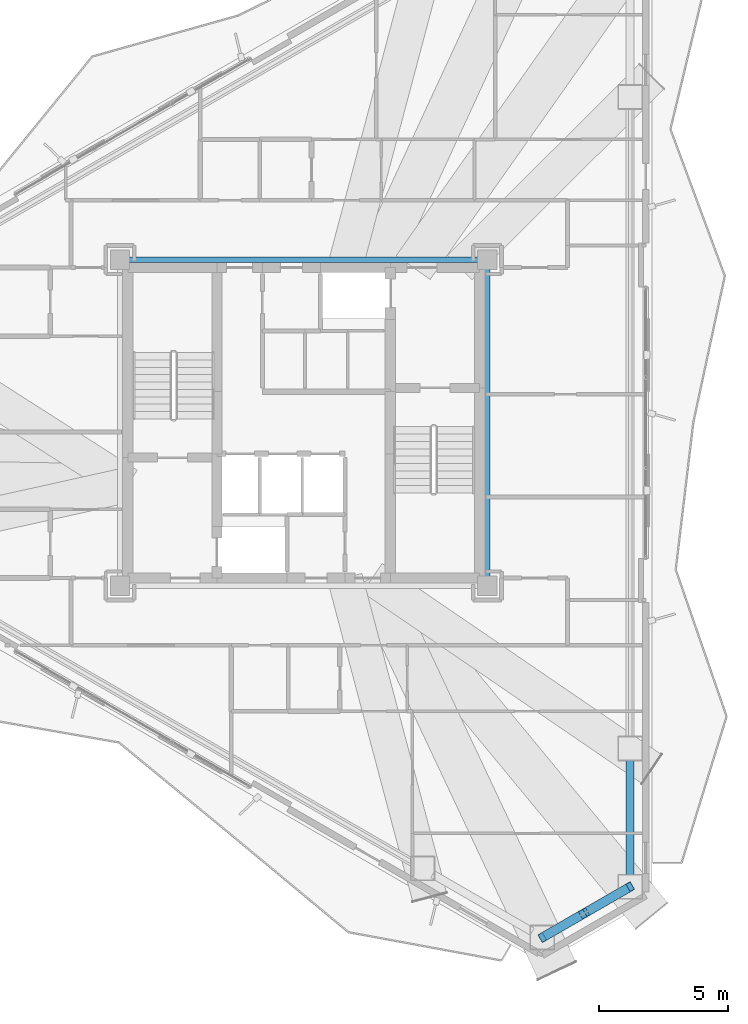
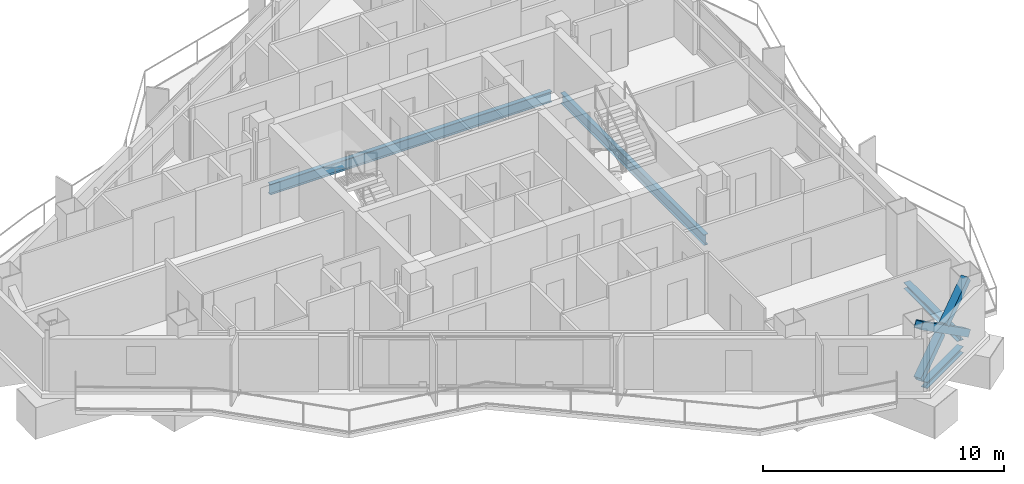
# One storey, part 7 of 21: 4 beams, 3 members.
"""IFC4 building model written with IfcOpenShell, lengths in metres."""

import ifcopenshell
import ifcopenshell.guid

model = None  # the IFC model being written
_history = None  # IfcOwnerHistory: only IFC2X3 demands one
_inside = {}  # id of a spatial element -> (the spatial element, [elements in it])
_under = {}  # id of a project, library or spatial element -> (it, [spatial elements below it])
_declared = {}  # id of a project -> (the project, [libraries it declares])
_typed = {}  # id of a type object -> (the type object, [elements of that type])
_made_of = {}  # id of a material, layer set ... -> (it, [elements and type objects made of it])


def new_model(schema):
    """Start an empty IFC model of exactly this schema.

    Asked for "IFC4X3", IfcOpenShell would pick the latest addendum, in which some entities
    have other attributes; the version numbers below select the first issue.
    IFC2X3 requires an IfcOwnerHistory on every rooted entity: one is made here for all.
    """
    global model, _history
    if schema == "IFC4X3":
        model = ifcopenshell.file(schema_version=(4, 3, 0, 0))
    else:
        model = ifcopenshell.file(schema=schema)
    _inside.clear()
    _under.clear()
    _declared.clear()
    _typed.clear()
    _made_of.clear()
    _history = None
    if model.schema == "IFC2X3":
        org = make("IfcOrganization", Name="unknown")
        user = make(
            "IfcPersonAndOrganization",
            ThePerson=make("IfcPerson", FamilyName="unknown"),
            TheOrganization=org,
        )
        app = make(
            "IfcApplication",
            ApplicationDeveloper=org,
            Version="unknown",
            ApplicationFullName="unknown",
            ApplicationIdentifier="unknown",
        )
        _history = make(
            "IfcOwnerHistory",
            OwningUser=user,
            OwningApplication=app,
            ChangeAction="ADDED",
            CreationDate=0,
        )
    return model


def make(cls, **values):
    """One entity of the class cls with the attributes given. An attribute that is None is left unset."""
    return model.create_entity(
        cls, **{name: value for name, value in values.items() if value is not None}
    )


def rooted(cls, **values):
    """An entity with a GlobalId (a new one), such as an element, a storey or a relation."""
    return make(cls, GlobalId=ifcopenshell.guid.new(), OwnerHistory=_history, **values)


def si_unit(unit_type, name, prefix=None):
    """IfcSIUnit, for example si_unit("LENGTHUNIT", "METRE", prefix="MILLI")."""
    return make("IfcSIUnit", UnitType=unit_type, Prefix=prefix, Name=name)


def assignment(units):
    """IfcUnitAssignment: the units of a project."""
    return None if units is None else make("IfcUnitAssignment", Units=units)


def point(xyz):
    """IfcCartesianPoint."""
    return None if xyz is None else make("IfcCartesianPoint", Coordinates=xyz)


def direction(xyz):
    """IfcDirection."""
    return None if xyz is None else make("IfcDirection", DirectionRatios=xyz)


def frame(location, z_axis=None, x_axis=None):
    """IfcAxis2Placement3D, a coordinate frame: its origin and axes. An axis left out is left unset."""
    return make(
        "IfcAxis2Placement3D",
        Location=point(location),
        Axis=direction(z_axis),
        RefDirection=direction(x_axis),
    )


def frame_2d(location, x_axis=None):
    """IfcAxis2Placement2D, a coordinate frame in the plane: its origin and x axis."""
    return make(
        "IfcAxis2Placement2D", Location=point(location), RefDirection=direction(x_axis)
    )


def origin():
    """The frame at (0, 0, 0) with its axes left unset."""
    return frame((0.0, 0.0, 0.0))


def origin_2d():
    """The frame at (0, 0) in the plane with its x axis left unset."""
    return frame_2d((0.0, 0.0))


def place(relative_to, where):
    """IfcLocalPlacement: puts the frame where relative to a parent placement (None: the world)."""
    return make(
        "IfcLocalPlacement", PlacementRelTo=relative_to, RelativePlacement=where
    )


def context(
    kind, dimensions, precision=None, world=None, true_north=None, identifier=None
):
    """IfcGeometricRepresentationContext, for example the 3D "Model" context."""
    return make(
        "IfcGeometricRepresentationContext",
        ContextIdentifier=identifier,
        ContextType=kind,
        CoordinateSpaceDimension=dimensions,
        Precision=precision,
        WorldCoordinateSystem=world,
        TrueNorth=true_north,
    )


def subcontext(parent, identifier, kind, view, scale=None):
    """IfcGeometricRepresentationSubContext, for example "Body" below "Model"."""
    return make(
        "IfcGeometricRepresentationSubContext",
        ContextIdentifier=identifier,
        ContextType=kind,
        ParentContext=parent,
        TargetScale=scale,
        TargetView=view,
    )


def project(units=None, contexts=None):
    """IfcProject with its units and contexts."""
    return rooted(
        "IfcProject",
        Name="project",
        RepresentationContexts=contexts,
        UnitsInContext=assignment(units),
    )


def spatial(cls, under=None, at=None, **own):
    """A site, building, storey or space (cls), placed at a placement, below another one or the project."""
    s = rooted(cls, ObjectPlacement=at, **own)
    if under is not None:
        _under.setdefault(under.id(), (under, []))[1].append(s)
    return s


def profile(cls, at=None, kind="AREA", **sizes):
    """A parametric profile (cls). Its sizes go by their IFC names, for example OverallWidth=200.0."""
    return make(cls, ProfileType=kind, Position=at, **sizes)


def hollow_rectangle(**sizes):
    """IfcRectangleHollowProfileDef."""
    return profile("IfcRectangleHollowProfileDef", **sizes)


def i_section(**sizes):
    """IfcIShapeProfileDef."""
    return profile("IfcIShapeProfileDef", **sizes)


def extrude(swept, where, along, depth):
    """IfcExtrudedAreaSolid: the profile swept, set in the frame where, extruded along a direction by depth."""
    return make(
        "IfcExtrudedAreaSolid",
        SweptArea=swept,
        Position=where,
        ExtrudedDirection=direction(along),
        Depth=depth,
    )


def shape(context_of_items, identifier, shape_type, items):
    """IfcShapeRepresentation: the items that make up one representation, for example the "Body"."""
    return make(
        "IfcShapeRepresentation",
        ContextOfItems=context_of_items,
        RepresentationIdentifier=identifier,
        RepresentationType=shape_type,
        Items=items,
    )


def material(Name=None, Category=None):
    """IfcMaterial."""
    return make("IfcMaterial", Name=Name, Category=Category)


def material_profile(
    of_material, cross_section, Name=None, Category=None, Priority=None
):
    """IfcMaterialProfile: a cross section and its material."""
    return make(
        "IfcMaterialProfile",
        Name=Name,
        Material=of_material,
        Profile=cross_section,
        Priority=Priority,
        Category=Category,
    )


def profile_set(profiles, Name=None, composite=None):
    """IfcMaterialProfileSet."""
    return make(
        "IfcMaterialProfileSet",
        Name=Name,
        MaterialProfiles=profiles,
        CompositeProfile=composite,
    )


def made_of(thing, what):
    """Note that an element or type object is made of a material, layer set ...; save() writes the relation."""
    if what is not None:
        _made_of.setdefault(what.id(), (what, []))[1].append(thing)
    return thing


def type_object(cls, material=None, **own):
    """A type object (cls), such as IfcWallType, which elements share."""
    return made_of(rooted(cls, **own), material)


def element(
    cls,
    number,
    at=None,
    inside=None,
    cuts=None,
    type_object=None,
    material=None,
    context=None,
    identifier="Body",
    shape_type=None,
    held_by="IfcProductDefinitionShape",
    body=None,
    shapes=None,
    **own,
):
    """One element of the class cls, such as IfcWall. Its Tag is "e" and its number.

    at: its placement. inside: the storey or other place that contains it. cuts: it is an
    opening in that element (IfcRelVoidsElement). A single representation is given by context,
    identifier, shape_type and body (its items); several are given by shapes. held_by: the class
    of the entity that holds the representations. save() writes the other relations.
    """
    e = rooted(cls, Tag="e%d" % number, ObjectPlacement=at, **own)
    if body is not None:
        shapes = [shape(context, identifier, shape_type, body)]
    if shapes is not None:
        e.Representation = make(held_by, Representations=shapes)
    if inside is not None:
        _inside.setdefault(inside.id(), (inside, []))[1].append(e)
    if cuts is not None:
        rooted(
            "IfcRelVoidsElement", RelatingBuildingElement=cuts, RelatedOpeningElement=e
        )
    if type_object is not None:
        _typed.setdefault(type_object.id(), (type_object, []))[1].append(e)
    return made_of(e, material)


def aggregate(whole, parts):
    """IfcRelAggregates: a whole, such as a stair, and the parts it consists of."""
    return rooted("IfcRelAggregates", RelatingObject=whole, RelatedObjects=parts)


def save(model, path):
    """Write the relations noted so far, then the file.

    IfcRelAggregates (storeys below a building ...), IfcRelContainedInSpatialStructure (elements
    in a storey), IfcRelDefinesByType, IfcRelAssociatesMaterial and IfcRelDeclares: one each for
    every whole, place, type object, material and project.
    """
    for whole, parts in _under.values():
        aggregate(whole, parts)
    for where, things in _inside.values():
        rooted(
            "IfcRelContainedInSpatialStructure",
            RelatedElements=things,
            RelatingStructure=where,
        )
    for kind, things in _typed.values():
        rooted("IfcRelDefinesByType", RelatedObjects=things, RelatingType=kind)
    for what, things in _made_of.values():
        rooted("IfcRelAssociatesMaterial", RelatedObjects=things, RelatingMaterial=what)
    for by, libraries in _declared.values():
        rooted("IfcRelDeclares", RelatingContext=by, RelatedDefinitions=libraries)
    model.write(path)


model = new_model("IFC4")

# Units and contexts
model_context = context("Model", 3, precision=1e-05, world=origin(), true_north=direction((0.0, 1.0)))
body_context = subcontext(model_context, "Body", "Model", "MODEL_VIEW")
ifc_project = project(units=[si_unit("LENGTHUNIT", "METRE"), si_unit("AREAUNIT", "SQUARE_METRE"), si_unit("VOLUMEUNIT", "CUBIC_METRE"), si_unit("PLANEANGLEUNIT", "RADIAN"), si_unit("MASSUNIT", "GRAM", prefix="KILO")], contexts=[model_context])

# Site, building, storey
site_placement = place(None, origin())
site = spatial("IfcSite", under=ifc_project, at=site_placement, CompositionType="ELEMENT")
building_placement = place(site_placement, origin())
building = spatial("IfcBuilding", under=site, at=building_placement, Name="Mersakhor Tower and Convention Hall", CompositionType="ELEMENT")
storey_placement = place(building_placement, frame((0.0, 0.0, 121.199951171875)))
storey = spatial("IfcBuildingStorey", under=building, at=storey_placement, Name="L33", CompositionType="ELEMENT", Elevation=121.199951171875)

# Beams
ifc_material_1 = material(Name="Steel S355", Category="steel")
ifc_material_profile_1 = material_profile(ifc_material_1, i_section(OverallWidth=0.2099609375, OverallDepth=0.53662109375, WebThickness=0.0107421875, FlangeThickness=0.017333984375, at=origin_2d()), Name="UB 533x210x101")
ifc_profile_set_1 = profile_set([ifc_material_profile_1], Name="Steel S355")
beam_type_1 = type_object("IfcBeamType", Name="BM-FB-533", PredefinedType="BEAM", material=ifc_profile_set_1)
beam_1_placement = place(storey_placement, frame((22.2548828125, 33.050048828125, -0.50830078125), z_axis=(1.0, 0.0, 0.0), x_axis=(0.0, 1.0, 0.0)))
element("IfcBeam", 1, at=beam_1_placement, inside=storey, type_object=beam_type_1, Name="L33 Core Ring Tie Beam CRB-2", PredefinedType="BEAM", context=body_context, shape_type="SweptSolid", body=[
    extrude(i_section(OverallWidth=0.2099609375, OverallDepth=0.53662109375, WebThickness=0.0107421875, FlangeThickness=0.017333984375, at=origin_2d()), origin(), (0.0, 0.0, 1.0), 13.490234375),
])
beam_2_placement = place(storey_placement, frame((36.10009765625, 32.695068359375, -0.50830078125), z_axis=(0.0, -1.0, 0.0), x_axis=(1.0, 0.0, 0.0)))
element("IfcBeam", 2, at=beam_2_placement, inside=storey, type_object=beam_type_1, Name="L33 Core Ring Tie Beam CRB-3", PredefinedType="BEAM", context=body_context, shape_type="SweptSolid", body=[
    extrude(i_section(OverallWidth=0.2099609375, OverallDepth=0.53662109375, WebThickness=0.0107421875, FlangeThickness=0.017333984375, at=origin_2d()), origin(), (0.0, 0.0, 1.0), 11.89013671875),
])
ifc_material_2 = material(Name="Steel S355", Category="steel")
ifc_material_profile_2 = material_profile(ifc_material_2, i_section(OverallWidth=0.30908203125, OverallDepth=0.320556640625, WebThickness=0.013916015625, FlangeThickness=0.021728515625, at=origin_2d()), Name="UC 305x305x137")
ifc_profile_set_2 = profile_set([ifc_material_profile_2], Name="Steel S355")
beam_type_2 = type_object("IfcBeamType", Name="BM-SPD-UC305", PredefinedType="SPANDREL", material=ifc_profile_set_2)
beam_3_placement = place(storey_placement, frame((41.619140625, 13.706298828125, -0.400146484375), z_axis=(0.0, -1.0, 0.0), x_axis=(1.0, 0.0, 0.0)))
element("IfcBeam", 3, at=beam_3_placement, inside=storey, type_object=beam_type_2, Name="L33 Perimeter Spandrel Beam SPB-07", PredefinedType="SPANDREL", context=body_context, shape_type="SweptSolid", body=[
    extrude(i_section(OverallWidth=0.30908203125, OverallDepth=0.320556640625, WebThickness=0.013916015625, FlangeThickness=0.021728515625, at=origin_2d()), origin(), (0.0, 0.0, 1.0), 4.433837890625),
])
beam_4_placement = place(storey_placement, frame((41.22509765625, 8.58984375, -0.400146484375), z_axis=(-0.86604667077, -0.499963162692, 0.0), x_axis=(0.499963162692, -0.86604667077, 0.0)))
element("IfcBeam", 4, at=beam_4_placement, inside=storey, type_object=beam_type_2, Name="L33 Perimeter Spandrel Beam SPB-08", PredefinedType="SPANDREL", context=body_context, shape_type="SweptSolid", body=[
    extrude(i_section(OverallWidth=0.30908203125, OverallDepth=0.320556640625, WebThickness=0.013916015625, FlangeThickness=0.021728515625, at=origin_2d()), origin(), (0.0, 0.0, 1.0), 3.014404296875),
])

# Members
ifc_material_3 = material(Name="Steel S460", Category="steel")
ifc_material_profile_3 = material_profile(ifc_material_3, hollow_rectangle(XDim=0.35009765625, YDim=0.35009765625, WallThickness=0.02001953125, at=origin_2d()), Name="SHS 350x350x20")
ifc_profile_set_3 = profile_set([ifc_material_profile_3], Name="Steel S460")
member_type = type_object("IfcMemberType", Name="MB-BRC-SHS350", PredefinedType="BRACE", material=ifc_profile_set_3)
member_placement = place(storey_placement, frame((41.619140625, 8.8173828125, 0.150146484375), z_axis=(-0.70838533923, -0.408971551713, 0.575267312693), x_axis=(0.499986324622, -0.866033299124, 0.0)))
element("IfcMember", 5, at=member_placement, inside=storey, type_object=member_type, Name="L33 Chamfer Braced Frame Diagonal CB-2A", PredefinedType="BRACE", context=body_context, shape_type="SweptSolid", body=[
    extrude(hollow_rectangle(XDim=0.35009765625, YDim=0.35009765625, WallThickness=0.02001953125, at=origin_2d()), origin(), (0.0, 0.0, 1.0), 4.7978515625),
])
for number, where, z_axis, x_axis, name in (
    (6, (38.220458984375, 6.855224609375, 0.150146484375), (0.708409139881, 0.409012716899, 0.575208734242), (-0.500011469263, 0.866018781901, 0.0), "L33 Chamfer Braced Frame Diagonal CB-2B Lower Half"),
    (7, (40.05712890625, 7.91552734375, 1.6416015625), (0.708364021879, 0.408986667212, 0.575282816143), (-0.500011469263, 0.866018781901, 0.0), "L33 Chamfer Braced Frame Diagonal CB-2B Upper Half"),
):
    element("IfcMember", number, at=place(storey_placement, frame(where, z_axis=z_axis, x_axis=x_axis)), inside=storey, type_object=member_type, Name=name, PredefinedType="BRACE", context=body_context, shape_type="SweptSolid", body=[
        extrude(hollow_rectangle(XDim=0.35009765625, YDim=0.35009765625, WallThickness=0.02001953125, at=origin_2d()), origin(), (0.0, 0.0, 1.0), 2.205078125),
    ])

save(model, "model.ifc")
